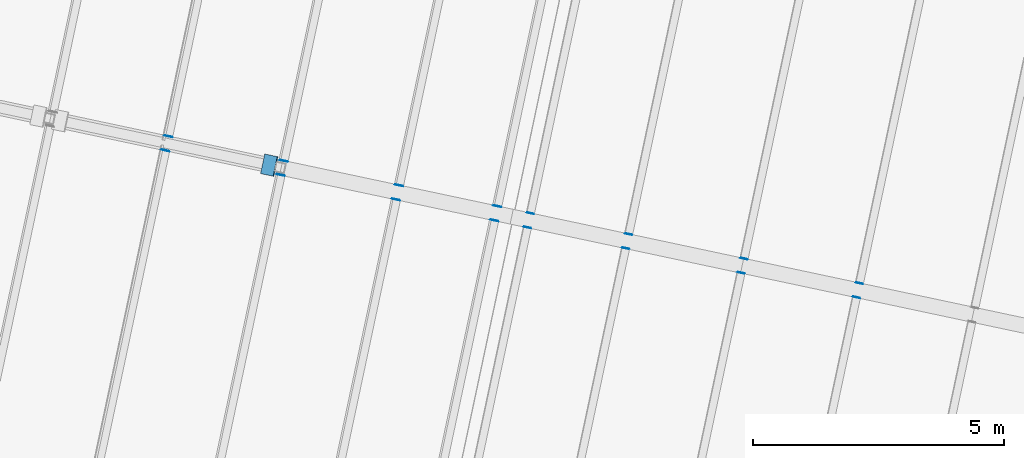
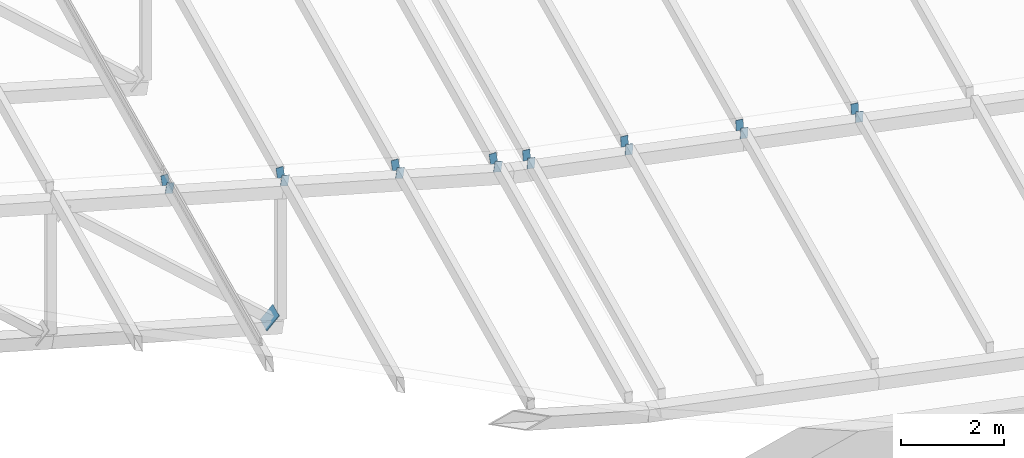
# One storey, part 151 of 196: 17 discrete accessories.
"""IFC4 building model written with IfcOpenShell, lengths in metres."""

from ifc_helpers import new_model, si_unit, direction, frame, origin, origin_2d, place, context, subcontext, project, spatial, rectangle, extrude, material, layer, layer_set, type_object, element, save


model = new_model("IFC4")

# Units and contexts
model_context = context("Model", 3, precision=1e-05, world=origin(), true_north=direction((0.0, 1.0)))
body_context = subcontext(model_context, "Body", "Model", "MODEL_VIEW")
ifc_project = project(units=[si_unit("LENGTHUNIT", "METRE"), si_unit("AREAUNIT", "SQUARE_METRE"), si_unit("VOLUMEUNIT", "CUBIC_METRE"), si_unit("PLANEANGLEUNIT", "RADIAN"), si_unit("MASSUNIT", "GRAM", prefix="KILO")], contexts=[model_context])

# Site, building, storey
site_placement = place(None, origin())
site = spatial("IfcSite", under=ifc_project, at=site_placement, CompositionType="ELEMENT")
building_placement = place(site_placement, origin())
building = spatial("IfcBuilding", under=site, at=building_placement, Name="Okhra Congress Centre", CompositionType="ELEMENT")
storey_placement = place(building_placement, frame((0.0, 0.0, 12.0)))
storey = spatial("IfcBuildingStorey", under=building, at=storey_placement, Name="L02", CompositionType="ELEMENT", Elevation=12.0)

# Discrete accessories
ifc_material = material(Name="Steel S355J2", Category="steel")
ifc_layer_1 = layer(ifc_material, 0.02001953125)
ifc_layer_set_1 = layer_set([ifc_layer_1], Name="Brace end connection plate 20 mm S355")
discrete_accessory_type_1 = type_object("IfcDiscreteAccessoryType", Name="Brace end connection plate 20 mm S355", PredefinedType="BRACKET", material=ifc_layer_set_1)
discrete_accessory_1_placement = place(storey_placement, frame((215.285400390625, 101.1044921875, 0.591796875), z_axis=(0.751199626988, -0.160091723784, -0.640366895138), x_axis=(0.208433994533, 0.978036435887, 0.0)))
element("IfcDiscreteAccessory", 1, at=discrete_accessory_1_placement, inside=storey, type_object=discrete_accessory_type_1, Name="Brace end connection plate", PredefinedType="BRACKET", context=body_context, shape_type="SweptSolid", body=[
    extrude(rectangle(XDim=0.39990234375, YDim=0.39990234375, at=origin_2d()), origin(), (0.0, 0.0, 1.0), 0.019775390625),
])
ifc_layer_2 = layer(ifc_material, 0.011962890625)
ifc_layer_set_2 = layer_set([ifc_layer_2], Name="Hollow section end cap 12 mm S355")
discrete_accessory_type_2 = type_object("IfcDiscreteAccessoryType", Name="Hollow section end cap 12 mm S355", PredefinedType="BRACKET", material=ifc_layer_set_2)
for number, where, z_axis, x_axis, name in (
    (2, (213.21630859375, 101.390869140625, 4.206787109375), (0.223376156329, 0.974732318528, 0.0), (-0.965246290609, 0.221202274931, 0.13917310096), "Hollow section end cap"),
    (3, (215.51513671875, 100.90234375, 3.87646484375), (0.203954254112, 0.978980419738, 0.0), (-0.969453049589, 0.201969385331, 0.13917310096), "Hollow section end cap"),
    (4, (217.813720703125, 100.41357421875, 3.546142578125), (0.203954254112, 0.978980419738, 0.0), (-0.969453049589, 0.201969385331, 0.13917310096), "Hollow section end cap"),
    (5, (219.77001953125, 99.997802734375, 3.26513671875), (0.203954254112, 0.978980419738, 0.0), (-0.969453049589, 0.201969385331, 0.13917310096), "Hollow section end cap"),
    (6, (220.431396484375, 99.857177734375, 3.199951171875), (0.203954254112, 0.978980419738, 0.0), (-0.977638761096, 0.203674741895, 0.052335956243), "Hollow section end cap"),
    (7, (222.3876953125, 99.44140625, 3.094970703125), (0.203954254112, 0.978980419738, 0.0), (-0.977638761096, 0.203674741895, 0.052335956243), "Hollow section end cap"),
    (8, (224.686279296875, 98.952880859375, 2.971923828125), (0.203954254112, 0.978980419738, 0.0), (-0.977638761096, 0.203674741895, 0.052335956243), "Hollow section end cap"),
    (9, (226.98486328125, 98.46435546875, 2.848876953125), (0.223376156329, 0.974732318528, 0.0), (-0.973396481762, 0.22307002707, 0.052335956243), "Hollow section end cap"),
    (10, (213.27880859375, 101.684326171875, 4.206787109375), (-0.203954254112, -0.978980419738, 0.0), (0.969453049589, -0.201969385331, 0.13917310096), "Hollow section end cap"),
):
    element("IfcDiscreteAccessory", number, at=place(storey_placement, frame(where, z_axis=z_axis, x_axis=x_axis)), inside=storey, type_object=discrete_accessory_type_2, Name=name, PredefinedType="BRACKET", context=body_context, shape_type="SweptSolid", body=[
        extrude(rectangle(XDim=0.14990234375, YDim=0.25, at=origin_2d()), origin(), (0.0, 0.0, 1.0), 0.011962890625),
    ])
discrete_accessory_2_placement = place(storey_placement, frame((215.577392578125, 101.19580078125, 3.87646484375), z_axis=(-0.199960011996, -0.97980405878, 0.0), x_axis=(0.970268673034, -0.198014014905, 0.13917310096)))
element("IfcDiscreteAccessory", 11, at=discrete_accessory_2_placement, inside=storey, type_object=discrete_accessory_type_2, Name="Hollow section end cap", PredefinedType="BRACKET", context=body_context, shape_type="SweptSolid", body=[
    extrude(rectangle(XDim=0.14990234375, YDim=0.25, at=origin_2d()), origin(), (0.0, 0.0, 1.0), 0.01220703125),
])
for number, where, z_axis, x_axis, name in (
    (12, (217.8759765625, 100.70703125, 3.546142578125), (-0.203954254112, -0.978980419738, 0.0), (0.969453049589, -0.201969385331, 0.13917310096), "Hollow section end cap"),
    (13, (219.832275390625, 100.291259765625, 3.26513671875), (-0.203954254112, -0.978980419738, 0.0), (0.969453049589, -0.201969385331, 0.13917310096), "Hollow section end cap"),
    (14, (220.49365234375, 100.150634765625, 3.199951171875), (-0.203954254112, -0.978980419738, 0.0), (0.977638761096, -0.203674741895, 0.052335956243), "Hollow section end cap"),
    (15, (222.449951171875, 99.73486328125, 3.094970703125), (-0.203954254112, -0.978980419738, 0.0), (0.977638761096, -0.203674741895, 0.052335956243), "Hollow section end cap"),
    (16, (224.748779296875, 99.246337890625, 2.971923828125), (-0.223376156329, -0.974732318528, 0.0), (0.973396481762, -0.22307002707, 0.052335956243), "Hollow section end cap"),
):
    element("IfcDiscreteAccessory", number, at=place(storey_placement, frame(where, z_axis=z_axis, x_axis=x_axis)), inside=storey, type_object=discrete_accessory_type_2, Name=name, PredefinedType="BRACKET", context=body_context, shape_type="SweptSolid", body=[
        extrude(rectangle(XDim=0.14990234375, YDim=0.25, at=origin_2d()), origin(), (0.0, 0.0, 1.0), 0.011962890625),
    ])
discrete_accessory_3_placement = place(storey_placement, frame((227.04736328125, 98.7578125, 2.848876953125), z_axis=(-0.199960011996, -0.97980405878, 0.0), x_axis=(0.978461271371, -0.199685973749, 0.052335956243)))
element("IfcDiscreteAccessory", 17, at=discrete_accessory_3_placement, inside=storey, type_object=discrete_accessory_type_2, Name="Hollow section end cap", PredefinedType="BRACKET", context=body_context, shape_type="SweptSolid", body=[
    extrude(rectangle(XDim=0.14990234375, YDim=0.25, at=origin_2d()), origin(), (0.0, 0.0, 1.0), 0.01220703125),
])

save(model, "model.ifc")
